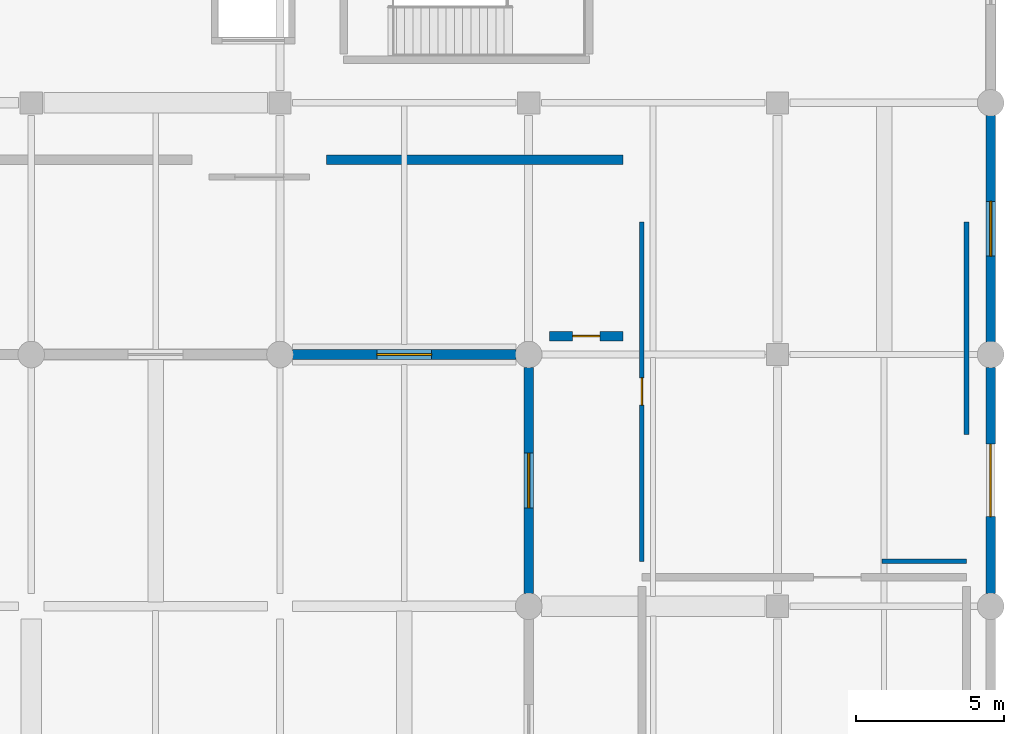
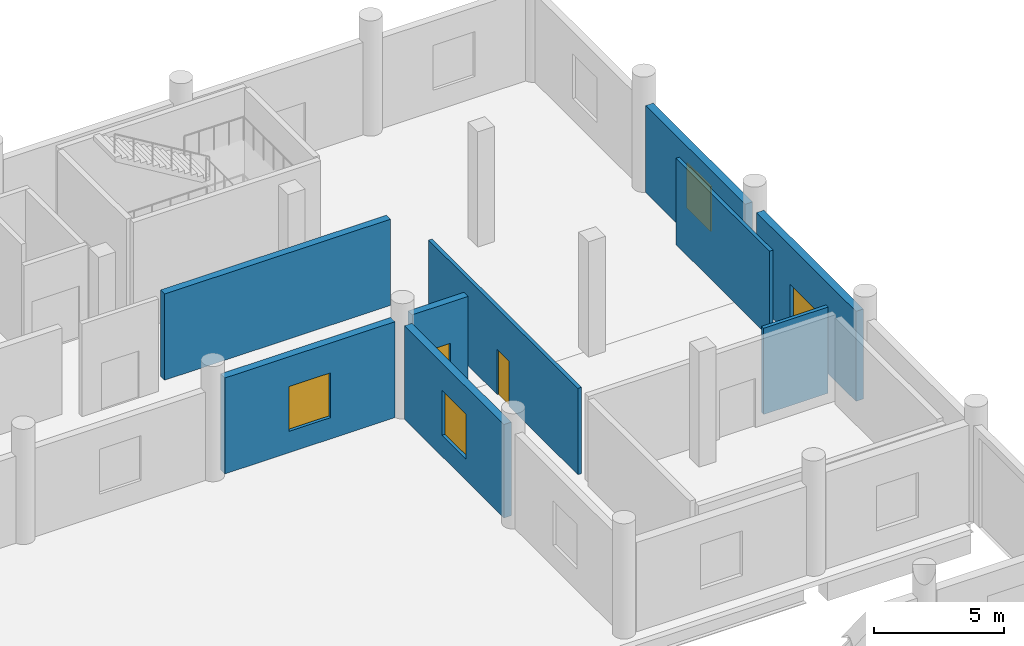
# One storey, part 95 of 107: 9 walls, 3 doors, 3 windows, 6 openings.
"""IFC4 building model written with IfcOpenShell, lengths in metres."""

from ifc_helpers import new_model, si_unit, direction, frame, frame_2d, origin, place, context, subcontext, project, spatial, rectangle, extrude, material, layer, layer_set, type_object, element, fill, save


model = new_model("IFC4")

# Units and contexts
model_context = context("Model", 3, precision=1e-05, world=origin(), true_north=direction((0.0, 1.0)))
body_context = subcontext(model_context, "Body", "Model", "MODEL_VIEW")
ifc_project = project(units=[si_unit("LENGTHUNIT", "METRE"), si_unit("AREAUNIT", "SQUARE_METRE"), si_unit("VOLUMEUNIT", "CUBIC_METRE"), si_unit("PLANEANGLEUNIT", "RADIAN"), si_unit("MASSUNIT", "GRAM", prefix="KILO")], contexts=[model_context])

# Site, building, storey
site_placement = place(None, origin())
site = spatial("IfcSite", under=ifc_project, at=site_placement, CompositionType="ELEMENT")
building_placement = place(site_placement, origin())
building = spatial("IfcBuilding", under=site, at=building_placement, Name="Solvento Point Concert Hall", CompositionType="ELEMENT")
storey_placement = place(building_placement, origin())
storey = spatial("IfcBuildingStorey", under=building, at=storey_placement, Name="L00", CompositionType="ELEMENT", Elevation=0.0)

# Wall
ifc_material_1 = material(Name="Acoustic Double-Stud Gypsum Partition")
ifc_layer_1 = layer(ifc_material_1, 0.159912109375)
ifc_layer_set_1 = layer_set([ifc_layer_1], Name="Acoustic Double-Stud Gypsum Partition")
wall_type_1 = type_object("IfcWallType", Name="AcousticPartition_160", PredefinedType="PARTITIONING", material=ifc_layer_set_1)
wall_1_placement = place(storey_placement, frame((215.179931640625, 123.47998046875, 0.0), z_axis=(0.0, 0.0, 1.0), x_axis=(0.0, -1.0, 0.0)))
element("IfcWall", 1, at=wall_1_placement, inside=storey, type_object=wall_type_1, Name="Interior acoustic partition PW-97 L00", PredefinedType="PARTITIONING", context=body_context, shape_type="SweptSolid", body=[
    extrude(rectangle(XDim=7.184326171875, YDim=0.159912109375, at=frame_2d((3.59228515625, 0.0))), origin(), (0.0, 0.0, 1.0), 4.0400390625),
])

# Wall, opening, door
wall_2_placement = place(storey_placement, frame((204.219970703125, 112.02001953125, 0.0), z_axis=(0.0, 0.0, 1.0), x_axis=(0.0, 1.0, 0.0)))
wall_2 = element("IfcWall", 2, at=wall_2_placement, inside=storey, type_object=wall_type_1, Name="Interior acoustic partition PW-97 L00", PredefinedType="PARTITIONING", context=body_context, shape_type="SweptSolid", body=[
    extrude(rectangle(XDim=11.4599609375, YDim=0.159912109375, at=frame_2d((5.72998046875, 0.0))), origin(), (0.0, 0.0, 1.0), 4.0400390625),
])
opening_1_placement = place(wall_2_placement, frame((5.27001953125, 0.0, 0.0)))
opening_1 = element("IfcOpeningElement", 3, at=opening_1_placement, cuts=wall_2, Name="Opening DR-46", PredefinedType="OPENING", context=body_context, shape_type="SweptSolid", body=[
    extrude(rectangle(XDim=0.919921875, YDim=2.1201171875, at=frame_2d((0.4599609375, 1.06005859375))), frame((0.0, 0.08984375, 0.0), z_axis=(0.0, -1.0, 0.0), x_axis=(1.0, 0.0, 0.0)), (0.0, 0.0, 1.0), 0.179931640625),
])
ifc_material_2 = material(Name="Brazilian Hardwood Acoustic Door", Category="wood")
door_type_1 = type_object("IfcDoorType", Name="IntDoor_AccessibleWC", OperationType="NOTDEFINED", PredefinedType="DOOR", material=ifc_material_2)
door_1_placement = place(opening_1_placement, origin())
door_1 = element("IfcDoor", 4, at=door_1_placement, inside=storey, type_object=door_type_1, Name="Interior door DR-46 L00", OperationType="SINGLE_SWING_RIGHT", OverallHeight=2.1201171875, OverallWidth=0.919921875, PredefinedType="DOOR", context=body_context, shape_type="SweptSolid", body=[
    extrude(rectangle(XDim=0.919921875, YDim=2.1201171875, at=frame_2d((0.4599609375, 1.06005859375))), frame((0.0, 0.02490234375, 0.0), z_axis=(0.0, -1.0, 0.0), x_axis=(1.0, 0.0, 0.0)), (0.0, 0.0, 1.0), 0.050048828125),
])
fill(opening_1, door_1)

# Wall
wall_3_placement = place(storey_placement, frame((215.179931640625, 112.02001953125, 0.0), z_axis=(0.0, 0.0, 1.0), x_axis=(-1.0, 0.0, 0.0)))
element("IfcWall", 5, at=wall_3_placement, inside=storey, type_object=wall_type_1, Name="Interior acoustic partition PW-97 L00", PredefinedType="PARTITIONING", context=body_context, shape_type="SweptSolid", body=[
    extrude(rectangle(XDim=2.8525390625, YDim=0.159912109375, at=frame_2d((1.42626953125, 0.0))), origin(), (0.0, 0.0, 1.0), 4.0400390625),
])

# Wall, opening, door
ifc_material_3 = material(Name="Acoustic Double-Stud Gypsum Partition")
ifc_layer_2 = layer(ifc_material_3, 0.31494140625)
ifc_layer_set_2 = layer_set([ifc_layer_2], Name="Acoustic Double-Stud Gypsum Partition")
wall_type_2 = type_object("IfcWallType", Name="AcousticPartition_315", PredefinedType="PARTITIONING", material=ifc_layer_set_2)
wall_4_placement = place(storey_placement, frame((203.580078125, 119.6201171875, 0.0), z_axis=(0.0, 0.0, 1.0), x_axis=(-1.0, 0.0, 0.0)))
wall_4 = element("IfcWall", 6, at=wall_4_placement, inside=storey, type_object=wall_type_2, Name="Interior acoustic partition PW-18 L00", PredefinedType="PARTITIONING", context=body_context, shape_type="SweptSolid", body=[
    extrude(rectangle(XDim=2.47998046875, YDim=0.31494140625, at=frame_2d((1.239990234375, 0.0))), origin(), (0.0, 0.0, 1.0), 4.0400390625),
])
opening_2_placement = place(wall_4_placement, frame((0.780029296875, 0.0, 0.0)))
opening_2 = element("IfcOpeningElement", 7, at=opening_2_placement, cuts=wall_4, Name="Opening DR-46", PredefinedType="OPENING", context=body_context, shape_type="SweptSolid", body=[
    extrude(rectangle(XDim=0.919921875, YDim=2.1201171875, at=frame_2d((0.4599609375, 1.06005859375))), frame((0.0, 0.16748046875, 0.0), z_axis=(0.0, -1.0, 0.0), x_axis=(1.0, 0.0, 0.0)), (0.0, 0.0, 1.0), 0.3349609375),
])
door_2_placement = place(opening_2_placement, origin())
door_2 = element("IfcDoor", 8, at=door_2_placement, inside=storey, type_object=door_type_1, Name="Interior door DR-46 L00", OperationType="SINGLE_SWING_LEFT", OverallHeight=2.1201171875, OverallWidth=0.919921875, PredefinedType="DOOR", context=body_context, shape_type="SweptSolid", body=[
    extrude(rectangle(XDim=0.919921875, YDim=2.1201171875, at=frame_2d((0.4599609375, 1.06005859375))), frame((0.0, 0.02490234375, 0.0), z_axis=(0.0, -1.0, 0.0), x_axis=(1.0, 0.0, 0.0)), (0.0, 0.0, 1.0), 0.050048828125),
])
fill(opening_2, door_2)

# Wall
wall_5_placement = place(storey_placement, frame((193.570068359375, 125.580078125, 0.0), z_axis=(0.0, 0.0, 1.0), x_axis=(1.0, 0.0, 0.0)))
element("IfcWall", 9, at=wall_5_placement, inside=storey, type_object=wall_type_2, Name="Interior acoustic partition PW-18 L00", PredefinedType="PARTITIONING", context=body_context, shape_type="SweptSolid", body=[
    extrude(rectangle(XDim=10.010009765625, YDim=0.31494140625, at=frame_2d((5.0048828125, 0.0))), origin(), (0.0, 0.0, 1.0), 4.0400390625),
])

# Wall, opening, window
ifc_material_4 = material(Name="Concrete C35/45", Category="concrete")
ifc_layer_3 = layer(ifc_material_4, 0.330078125)
ifc_layer_set_3 = layer_set([ifc_layer_3], Name="Concrete C35/45")
wall_type_3 = type_object("IfcWallType", Name="ExtWall_V5_Plinth_330", PredefinedType="SOLIDWALL", material=ifc_layer_set_3)
wall_6_placement = place(storey_placement, frame((216.0, 127.070068359375, 0.0), z_axis=(0.0, 0.0, 1.0), x_axis=(0.0, -1.0, 0.0)))
wall_6 = element("IfcWall", 10, at=wall_6_placement, inside=storey, type_object=wall_type_3, Name="Exterior architectural concrete wall EW-72 L00", PredefinedType="SOLIDWALL", context=body_context, shape_type="SweptSolid", body=[
    extrude(rectangle(XDim=7.64013671875, YDim=0.330078125, at=frame_2d((3.820068359375, 0.0))), origin(), (0.0, 0.0, 1.0), 4.077880859375),
])
opening_3_placement = place(wall_6_placement, frame((2.89501953125, 0.0, 1.0)))
opening_3 = element("IfcOpeningElement", 11, at=opening_3_placement, cuts=wall_6, Name="Opening WN-36", PredefinedType="OPENING", context=body_context, shape_type="SweptSolid", body=[
    extrude(rectangle(XDim=1.85009765625, YDim=2.10009765625, at=frame_2d((0.925048828125, 1.050048828125))), frame((0.0, 0.175048828125, 0.0), z_axis=(0.0, -1.0, 0.0), x_axis=(1.0, 0.0, 0.0)), (0.0, 0.0, 1.0), 0.35009765625),
])
ifc_material_5 = material(Name="Hurricane Laminated Low-E Glass", Category="glass")
window_type = type_object("IfcWindowType", Name="Win_V5_Workshop_L00", PartitioningType="SINGLE_PANEL", PredefinedType="WINDOW", material=ifc_material_5)
window_1_placement = place(opening_3_placement, origin())
window_1 = element("IfcWindow", 12, at=window_1_placement, inside=storey, type_object=window_type, Name="Impact acoustic window WN-36", OverallHeight=2.10009765625, OverallWidth=1.85009765625, PartitioningType="SINGLE_PANEL", PredefinedType="WINDOW", context=body_context, shape_type="SweptSolid", body=[
    extrude(rectangle(XDim=1.85009765625, YDim=2.10009765625, at=frame_2d((0.925048828125, 1.050048828125))), frame((0.0, 0.030029296875, 0.0), z_axis=(0.0, -1.0, 0.0), x_axis=(1.0, 0.0, 0.0)), (0.0, 0.0, 1.0), 0.06005859375),
])
fill(opening_3, window_1)

# Wall, opening, door
wall_7_placement = place(storey_placement, frame((216.0, 118.570068359375, 0.0), z_axis=(0.0, 0.0, 1.0), x_axis=(0.0, -1.0, 0.0)))
wall_7 = element("IfcWall", 13, at=wall_7_placement, inside=storey, type_object=wall_type_3, Name="Exterior architectural concrete wall EW-72 L00", PredefinedType="SOLIDWALL", context=body_context, shape_type="SweptSolid", body=[
    extrude(rectangle(XDim=7.64013671875, YDim=0.330078125, at=frame_2d((3.820068359375, 0.0))), origin(), (0.0, 0.0, 1.0), 4.217041015625),
])
opening_4_placement = place(wall_7_placement, frame((2.594970703125, 0.0, 0.0)))
opening_4 = element("IfcOpeningElement", 14, at=opening_4_placement, cuts=wall_7, Name="Opening ED-06", PredefinedType="OPENING", context=body_context, shape_type="SweptSolid", body=[
    extrude(rectangle(XDim=2.449951171875, YDim=2.419921875, at=frame_2d((1.22509765625, 1.2099609375))), frame((0.0, 0.175048828125, 0.0), z_axis=(0.0, -1.0, 0.0), x_axis=(1.0, 0.0, 0.0)), (0.0, 0.0, 1.0), 0.35009765625),
])
ifc_material_6 = material(Name="Anodized Bronze Aluminium", Category="aluminium")
door_type_2 = type_object("IfcDoorType", Name="PedestrianExitDoor_ED-06", OperationType="DOUBLE_DOOR_SINGLE_SWING", PredefinedType="DOOR", material=ifc_material_6)
door_3_placement = place(opening_4_placement, origin())
door_3 = element("IfcDoor", 15, at=door_3_placement, inside=storey, type_object=door_type_2, Name="Perimeter stair passageway final exit discharge double door ED-06", OperationType="DOUBLE_DOOR_SINGLE_SWING", OverallHeight=2.419921875, OverallWidth=2.449951171875, PredefinedType="DOOR", context=body_context, shape_type="SweptSolid", body=[
    extrude(rectangle(XDim=2.449951171875, YDim=2.419921875, at=frame_2d((1.22509765625, 1.2099609375))), frame((0.0, 0.02490234375, 0.0), z_axis=(0.0, -1.0, 0.0), x_axis=(1.0, 0.0, 0.0)), (0.0, 0.0, 1.0), 0.050048828125),
])
fill(opening_4, door_3)

# Wall, opening, window
wall_8_placement = place(storey_placement, frame((200.39990234375, 110.929931640625, 0.0), z_axis=(0.0, 0.0, 1.0), x_axis=(0.0, 1.0, 0.0)))
wall_8 = element("IfcWall", 16, at=wall_8_placement, inside=storey, type_object=wall_type_3, Name="Exterior architectural concrete wall EW-72 L00", PredefinedType="SOLIDWALL", context=body_context, shape_type="SweptSolid", body=[
    extrude(rectangle(XDim=7.64013671875, YDim=0.330078125, at=frame_2d((3.820068359375, 0.0))), origin(), (0.0, 0.0, 1.0), 4.3740234375),
])
opening_5_placement = place(wall_8_placement, frame((2.89501953125, 0.0, 1.0)))
opening_5 = element("IfcOpeningElement", 17, at=opening_5_placement, cuts=wall_8, Name="Opening WN-36", PredefinedType="OPENING", context=body_context, shape_type="SweptSolid", body=[
    extrude(rectangle(XDim=1.85009765625, YDim=2.10009765625, at=frame_2d((0.925048828125, 1.050048828125))), frame((0.0, 0.175048828125, 0.0), z_axis=(0.0, -1.0, 0.0), x_axis=(1.0, 0.0, 0.0)), (0.0, 0.0, 1.0), 0.35009765625),
])
window_2_placement = place(opening_5_placement, origin())
window_2 = element("IfcWindow", 18, at=window_2_placement, inside=storey, type_object=window_type, Name="Impact acoustic window WN-36", OverallHeight=2.10009765625, OverallWidth=1.85009765625, PartitioningType="SINGLE_PANEL", PredefinedType="WINDOW", context=body_context, shape_type="SweptSolid", body=[
    extrude(rectangle(XDim=1.85009765625, YDim=2.10009765625, at=frame_2d((0.925048828125, 1.050048828125))), frame((0.0, 0.030029296875, 0.0), z_axis=(0.0, -1.0, 0.0), x_axis=(1.0, 0.0, 0.0)), (0.0, 0.0, 1.0), 0.06005859375),
])
fill(opening_5, window_2)

wall_9_placement = place(storey_placement, frame((199.969970703125, 119.0, 0.0), z_axis=(0.0, 0.0, 1.0), x_axis=(-1.0, 0.0, 0.0)))
wall_9 = element("IfcWall", 19, at=wall_9_placement, inside=storey, type_object=wall_type_3, Name="Exterior architectural concrete wall EW-72 L00", PredefinedType="SOLIDWALL", context=body_context, shape_type="SweptSolid", body=[
    extrude(rectangle(XDim=7.5400390625, YDim=0.330078125, at=frame_2d((3.77001953125, 0.0))), origin(), (0.0, 0.0, 1.0), 4.49609375),
])
opening_6_placement = place(wall_9_placement, frame((2.844970703125, 0.0, 1.0)))
opening_6 = element("IfcOpeningElement", 20, at=opening_6_placement, cuts=wall_9, Name="Opening WN-36", PredefinedType="OPENING", context=body_context, shape_type="SweptSolid", body=[
    extrude(rectangle(XDim=1.85009765625, YDim=2.10009765625, at=frame_2d((0.925048828125, 1.050048828125))), frame((0.0, 0.175048828125, 0.0), z_axis=(0.0, -1.0, 0.0), x_axis=(1.0, 0.0, 0.0)), (0.0, 0.0, 1.0), 0.35009765625),
])
window_3_placement = place(opening_6_placement, origin())
window_3 = element("IfcWindow", 21, at=window_3_placement, inside=storey, type_object=window_type, Name="Impact acoustic window WN-36", OverallHeight=2.10009765625, OverallWidth=1.85009765625, PartitioningType="SINGLE_PANEL", PredefinedType="WINDOW", context=body_context, shape_type="SweptSolid", body=[
    extrude(rectangle(XDim=1.85009765625, YDim=2.10009765625, at=frame_2d((0.925048828125, 1.050048828125))), frame((0.0, 0.030029296875, 0.0), z_axis=(0.0, -1.0, 0.0), x_axis=(1.0, 0.0, 0.0)), (0.0, 0.0, 1.0), 0.06005859375),
])
fill(opening_6, window_3)

save(model, "model.ifc")
